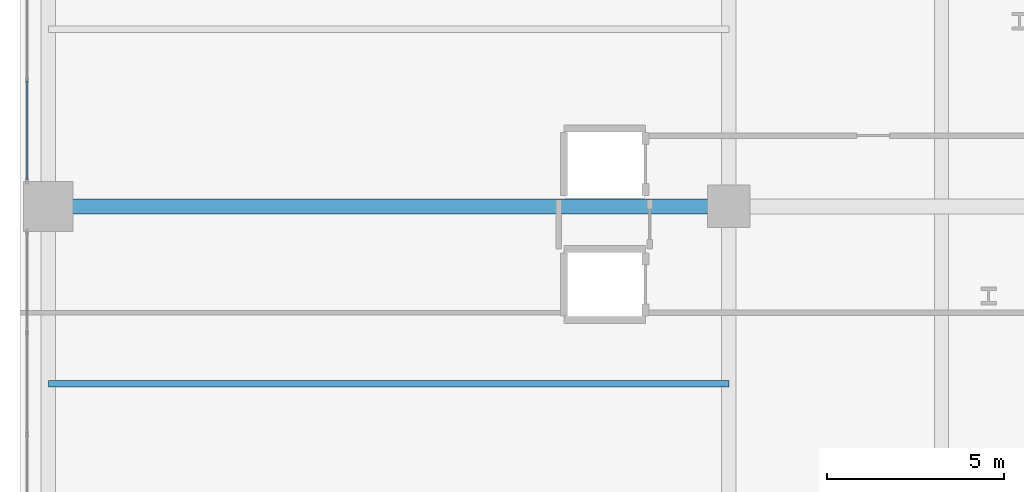
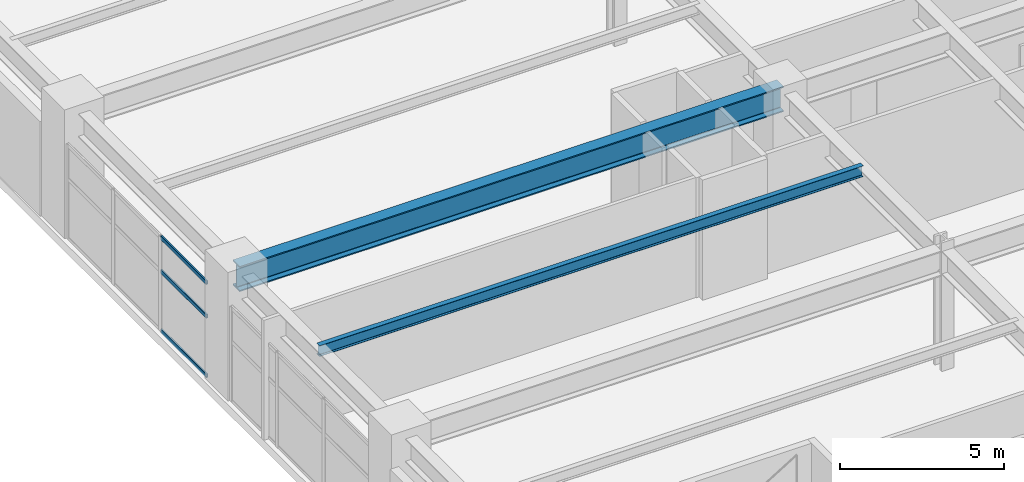
# One storey, part 8 of 28: 3 members, 2 beams, 1 element without a shape of its own.
"""IFC4 building model written with IfcOpenShell, lengths in metres."""

import ifcopenshell
import ifcopenshell.guid

model = None  # the IFC model being written
_history = None  # IfcOwnerHistory: only IFC2X3 demands one
_inside = {}  # id of a spatial element -> (the spatial element, [elements in it])
_under = {}  # id of a project, library or spatial element -> (it, [spatial elements below it])
_declared = {}  # id of a project -> (the project, [libraries it declares])
_typed = {}  # id of a type object -> (the type object, [elements of that type])
_made_of = {}  # id of a material, layer set ... -> (it, [elements and type objects made of it])


def new_model(schema):
    """Start an empty IFC model of exactly this schema.

    Asked for "IFC4X3", IfcOpenShell would pick the latest addendum, in which some entities
    have other attributes; the version numbers below select the first issue.
    IFC2X3 requires an IfcOwnerHistory on every rooted entity: one is made here for all.
    """
    global model, _history
    if schema == "IFC4X3":
        model = ifcopenshell.file(schema_version=(4, 3, 0, 0))
    else:
        model = ifcopenshell.file(schema=schema)
    _inside.clear()
    _under.clear()
    _declared.clear()
    _typed.clear()
    _made_of.clear()
    _history = None
    if model.schema == "IFC2X3":
        org = make("IfcOrganization", Name="unknown")
        user = make(
            "IfcPersonAndOrganization",
            ThePerson=make("IfcPerson", FamilyName="unknown"),
            TheOrganization=org,
        )
        app = make(
            "IfcApplication",
            ApplicationDeveloper=org,
            Version="unknown",
            ApplicationFullName="unknown",
            ApplicationIdentifier="unknown",
        )
        _history = make(
            "IfcOwnerHistory",
            OwningUser=user,
            OwningApplication=app,
            ChangeAction="ADDED",
            CreationDate=0,
        )
    return model


def make(cls, **values):
    """One entity of the class cls with the attributes given. An attribute that is None is left unset."""
    return model.create_entity(
        cls, **{name: value for name, value in values.items() if value is not None}
    )


def rooted(cls, **values):
    """An entity with a GlobalId (a new one), such as an element, a storey or a relation."""
    return make(cls, GlobalId=ifcopenshell.guid.new(), OwnerHistory=_history, **values)


def si_unit(unit_type, name, prefix=None):
    """IfcSIUnit, for example si_unit("LENGTHUNIT", "METRE", prefix="MILLI")."""
    return make("IfcSIUnit", UnitType=unit_type, Prefix=prefix, Name=name)


def assignment(units):
    """IfcUnitAssignment: the units of a project."""
    return None if units is None else make("IfcUnitAssignment", Units=units)


def point(xyz):
    """IfcCartesianPoint."""
    return None if xyz is None else make("IfcCartesianPoint", Coordinates=xyz)


def direction(xyz):
    """IfcDirection."""
    return None if xyz is None else make("IfcDirection", DirectionRatios=xyz)


def frame(location, z_axis=None, x_axis=None):
    """IfcAxis2Placement3D, a coordinate frame: its origin and axes. An axis left out is left unset."""
    return make(
        "IfcAxis2Placement3D",
        Location=point(location),
        Axis=direction(z_axis),
        RefDirection=direction(x_axis),
    )


def frame_2d(location, x_axis=None):
    """IfcAxis2Placement2D, a coordinate frame in the plane: its origin and x axis."""
    return make(
        "IfcAxis2Placement2D", Location=point(location), RefDirection=direction(x_axis)
    )


def origin():
    """The frame at (0, 0, 0) with its axes left unset."""
    return frame((0.0, 0.0, 0.0))


def origin_2d():
    """The frame at (0, 0) in the plane with its x axis left unset."""
    return frame_2d((0.0, 0.0))


def place(relative_to, where):
    """IfcLocalPlacement: puts the frame where relative to a parent placement (None: the world)."""
    return make(
        "IfcLocalPlacement", PlacementRelTo=relative_to, RelativePlacement=where
    )


def context(
    kind, dimensions, precision=None, world=None, true_north=None, identifier=None
):
    """IfcGeometricRepresentationContext, for example the 3D "Model" context."""
    return make(
        "IfcGeometricRepresentationContext",
        ContextIdentifier=identifier,
        ContextType=kind,
        CoordinateSpaceDimension=dimensions,
        Precision=precision,
        WorldCoordinateSystem=world,
        TrueNorth=true_north,
    )


def subcontext(parent, identifier, kind, view, scale=None):
    """IfcGeometricRepresentationSubContext, for example "Body" below "Model"."""
    return make(
        "IfcGeometricRepresentationSubContext",
        ContextIdentifier=identifier,
        ContextType=kind,
        ParentContext=parent,
        TargetScale=scale,
        TargetView=view,
    )


def project(units=None, contexts=None):
    """IfcProject with its units and contexts."""
    return rooted(
        "IfcProject",
        Name="project",
        RepresentationContexts=contexts,
        UnitsInContext=assignment(units),
    )


def spatial(cls, under=None, at=None, **own):
    """A site, building, storey or space (cls), placed at a placement, below another one or the project."""
    s = rooted(cls, ObjectPlacement=at, **own)
    if under is not None:
        _under.setdefault(under.id(), (under, []))[1].append(s)
    return s


def profile(cls, at=None, kind="AREA", **sizes):
    """A parametric profile (cls). Its sizes go by their IFC names, for example OverallWidth=200.0."""
    return make(cls, ProfileType=kind, Position=at, **sizes)


def hollow_rectangle(**sizes):
    """IfcRectangleHollowProfileDef."""
    return profile("IfcRectangleHollowProfileDef", **sizes)


def i_section(**sizes):
    """IfcIShapeProfileDef."""
    return profile("IfcIShapeProfileDef", **sizes)


def extrude(swept, where, along, depth):
    """IfcExtrudedAreaSolid: the profile swept, set in the frame where, extruded along a direction by depth."""
    return make(
        "IfcExtrudedAreaSolid",
        SweptArea=swept,
        Position=where,
        ExtrudedDirection=direction(along),
        Depth=depth,
    )


def shape(context_of_items, identifier, shape_type, items):
    """IfcShapeRepresentation: the items that make up one representation, for example the "Body"."""
    return make(
        "IfcShapeRepresentation",
        ContextOfItems=context_of_items,
        RepresentationIdentifier=identifier,
        RepresentationType=shape_type,
        Items=items,
    )


def material(Name=None, Category=None):
    """IfcMaterial."""
    return make("IfcMaterial", Name=Name, Category=Category)


def layer(
    of_material, thickness, ventilated=None, Name=None, Category=None, Priority=None
):
    """IfcMaterialLayer: one layer of a wall or slab, of a material (None: an air gap)."""
    return make(
        "IfcMaterialLayer",
        Material=of_material,
        LayerThickness=thickness,
        IsVentilated=ventilated,
        Name=Name,
        Category=Category,
        Priority=Priority,
    )


def layer_set(layers, Name=None):
    """IfcMaterialLayerSet."""
    return make("IfcMaterialLayerSet", MaterialLayers=layers, LayerSetName=Name)


def material_profile(
    of_material, cross_section, Name=None, Category=None, Priority=None
):
    """IfcMaterialProfile: a cross section and its material."""
    return make(
        "IfcMaterialProfile",
        Name=Name,
        Material=of_material,
        Profile=cross_section,
        Priority=Priority,
        Category=Category,
    )


def profile_set(profiles, Name=None, composite=None):
    """IfcMaterialProfileSet."""
    return make(
        "IfcMaterialProfileSet",
        Name=Name,
        MaterialProfiles=profiles,
        CompositeProfile=composite,
    )


def made_of(thing, what):
    """Note that an element or type object is made of a material, layer set ...; save() writes the relation."""
    if what is not None:
        _made_of.setdefault(what.id(), (what, []))[1].append(thing)
    return thing


def type_object(cls, material=None, **own):
    """A type object (cls), such as IfcWallType, which elements share."""
    return made_of(rooted(cls, **own), material)


def element(
    cls,
    number,
    at=None,
    inside=None,
    cuts=None,
    type_object=None,
    material=None,
    context=None,
    identifier="Body",
    shape_type=None,
    held_by="IfcProductDefinitionShape",
    body=None,
    shapes=None,
    **own,
):
    """One element of the class cls, such as IfcWall. Its Tag is "e" and its number.

    at: its placement. inside: the storey or other place that contains it. cuts: it is an
    opening in that element (IfcRelVoidsElement). A single representation is given by context,
    identifier, shape_type and body (its items); several are given by shapes. held_by: the class
    of the entity that holds the representations. save() writes the other relations.
    """
    e = rooted(cls, Tag="e%d" % number, ObjectPlacement=at, **own)
    if body is not None:
        shapes = [shape(context, identifier, shape_type, body)]
    if shapes is not None:
        e.Representation = make(held_by, Representations=shapes)
    if inside is not None:
        _inside.setdefault(inside.id(), (inside, []))[1].append(e)
    if cuts is not None:
        rooted(
            "IfcRelVoidsElement", RelatingBuildingElement=cuts, RelatedOpeningElement=e
        )
    if type_object is not None:
        _typed.setdefault(type_object.id(), (type_object, []))[1].append(e)
    return made_of(e, material)


def aggregate(whole, parts):
    """IfcRelAggregates: a whole, such as a stair, and the parts it consists of."""
    return rooted("IfcRelAggregates", RelatingObject=whole, RelatedObjects=parts)


def save(model, path):
    """Write the relations noted so far, then the file.

    IfcRelAggregates (storeys below a building ...), IfcRelContainedInSpatialStructure (elements
    in a storey), IfcRelDefinesByType, IfcRelAssociatesMaterial and IfcRelDeclares: one each for
    every whole, place, type object, material and project.
    """
    for whole, parts in _under.values():
        aggregate(whole, parts)
    for where, things in _inside.values():
        rooted(
            "IfcRelContainedInSpatialStructure",
            RelatedElements=things,
            RelatingStructure=where,
        )
    for kind, things in _typed.values():
        rooted("IfcRelDefinesByType", RelatedObjects=things, RelatingType=kind)
    for what, things in _made_of.values():
        rooted("IfcRelAssociatesMaterial", RelatedObjects=things, RelatingMaterial=what)
    for by, libraries in _declared.values():
        rooted("IfcRelDeclares", RelatingContext=by, RelatedDefinitions=libraries)
    model.write(path)


model = new_model("IFC4")

# Units and contexts
model_context = context("Model", 3, precision=1e-05, world=origin(), true_north=direction((0.0, 1.0)))
body_context = subcontext(model_context, "Body", "Model", "MODEL_VIEW")
ifc_project = project(units=[si_unit("LENGTHUNIT", "METRE"), si_unit("AREAUNIT", "SQUARE_METRE"), si_unit("VOLUMEUNIT", "CUBIC_METRE"), si_unit("PLANEANGLEUNIT", "RADIAN"), si_unit("MASSUNIT", "GRAM", prefix="KILO")], contexts=[model_context])

# Site, building, storey
site_placement = place(None, origin())
site = spatial("IfcSite", under=ifc_project, at=site_placement, CompositionType="ELEMENT")
building_placement = place(site_placement, origin())
building = spatial("IfcBuilding", under=site, at=building_placement, Name="Soratama Intermodal Tower", CompositionType="ELEMENT")
storey_placement = place(building_placement, frame((0.0, 0.0, 11.39990234375)))
storey = spatial("IfcBuildingStorey", under=building, at=storey_placement, Name="L02", CompositionType="ELEMENT", Elevation=11.39990234375)

# Beams
ifc_material_1 = material(Name="Structural steel ASTM A992 Grade 50", Category="steel")
ifc_material_profile_1 = material_profile(ifc_material_1, i_section(OverallWidth=0.177978515625, OverallDepth=0.406982421875, WebThickness=0.0078125, FlangeThickness=0.0126953125, FilletRadius=0.010009765625, at=origin_2d()), Name="W16X40")
ifc_profile_set_1 = profile_set([ifc_material_profile_1], Name="Structural steel ASTM A992 Grade 50")
beam_type_1 = type_object("IfcBeamType", Name="BM-JST-W16X40", PredefinedType="JOIST", material=ifc_profile_set_1)
beam_1_placement = place(storey_placement, frame((0.800048828125, 20.0, 4.276611328125), z_axis=(1.0, 0.0, 0.0), x_axis=(0.0, 1.0, 0.0)))
element("IfcBeam", 1, at=beam_1_placement, inside=storey, type_object=beam_type_1, Name="JST-L02-W2", PredefinedType="JOIST", context=body_context, shape_type="SweptSolid", body=[
    extrude(i_section(OverallWidth=0.177978515625, OverallDepth=0.406982421875, WebThickness=0.0078125, FlangeThickness=0.0126953125, FilletRadius=0.010009765625, at=origin_2d()), origin(), (0.0, 0.0, 1.0), 19.199951171875),
])
ifc_material_2 = material(Name="Structural steel ASTM A992 Grade 50", Category="steel")
ifc_material_profile_2 = material_profile(ifc_material_2, i_section(OverallWidth=0.423095703125, OverallDepth=0.93896484375, WebThickness=0.02392578125, FlangeThickness=0.042724609375, FilletRadius=0.02392578125, at=origin_2d()), Name="W36X302")
ifc_profile_set_2 = profile_set([ifc_material_profile_2], Name="Structural steel ASTM A992 Grade 50")
beam_type_2 = type_object("IfcBeamType", Name="BM-POD-W36X302", PredefinedType="BEAM", material=ifc_profile_set_2)
beam_2_placement = place(storey_placement, frame((0.800048828125, 25.0, 4.010498046875), z_axis=(1.0, 0.0, 0.0), x_axis=(0.0, 1.0, 0.0)))
element("IfcBeam", 2, at=beam_2_placement, inside=storey, type_object=beam_type_2, Name="L02 Station Girder X3-4", PredefinedType="BEAM", context=body_context, shape_type="SweptSolid", body=[
    extrude(i_section(OverallWidth=0.423095703125, OverallDepth=0.93896484375, WebThickness=0.02392578125, FlangeThickness=0.042724609375, FilletRadius=0.02392578125, at=origin_2d()), origin(), (0.0, 0.0, 1.0), 19.199951171875),
])

# Curtain wall, members
ifc_material_3 = material(Name="Double-glazed aluminium curtain wall", Category="aluminium")
ifc_layer = layer(ifc_material_3, 0.159912109375)
ifc_layer_set = layer_set([ifc_layer], Name="Double-glazed aluminium curtain wall")
curtain_wall_type = type_object("IfcCurtainWallType", Name="CW-SYS-1", PredefinedType="NOTDEFINED", material=ifc_layer_set)
curtain_wall_placement = place(storey_placement, origin())
curtain_wall = element("IfcCurtainWall", 3, at=curtain_wall_placement, inside=storey, type_object=curtain_wall_type, Name="L02 Station Curtain Wall W2", PredefinedType="NOTDEFINED")
ifc_material_4 = material(Name="Anodised aluminium AA 6063-T6", Category="aluminium")
ifc_material_profile_3 = material_profile(ifc_material_4, hollow_rectangle(XDim=0.06494140625, YDim=0.14990234375, WallThickness=0.0048828125, InnerFilletRadius=0.0048828125, OuterFilletRadius=0.010009765625, at=origin_2d()), Name="CWT150X65X5")
ifc_profile_set_3 = profile_set([ifc_material_profile_3], Name="Anodised aluminium AA 6063-T6")
member_type = type_object("IfcMemberType", Name="TT-CWT-1", PredefinedType="USERDEFINED", material=ifc_profile_set_3)
member_1_placement = place(storey_placement, frame((0.199951171875, 25.760009765625, 0.030029296875), z_axis=(0.0, 1.0, 0.0), x_axis=(-1.0, 0.0, 0.0)))
member_1 = element("IfcMember", 4, at=member_1_placement, type_object=member_type, Name="CW-1 transom 1.1", ObjectType="TRANSOM", PredefinedType="USERDEFINED", context=body_context, shape_type="SweptSolid", body=[
    extrude(hollow_rectangle(XDim=0.06494140625, YDim=0.14990234375, WallThickness=0.0048828125, InnerFilletRadius=0.0048828125, OuterFilletRadius=0.010009765625, at=origin_2d()), origin(), (0.0, 0.0, 1.0), 2.776611328125),
])
member_2_placement = place(storey_placement, frame((0.199951171875, 25.760009765625, 2.25), z_axis=(0.0, 1.0, 0.0), x_axis=(-1.0, 0.0, 0.0)))
member_2 = element("IfcMember", 5, at=member_2_placement, type_object=member_type, Name="CW-1 transom 1.2", ObjectType="TRANSOM", PredefinedType="USERDEFINED", context=body_context, shape_type="SweptSolid", body=[
    extrude(hollow_rectangle(XDim=0.06494140625, YDim=0.14990234375, WallThickness=0.0048828125, InnerFilletRadius=0.0048828125, OuterFilletRadius=0.010009765625, at=origin_2d()), origin(), (0.0, 0.0, 1.0), 2.776611328125),
])
member_3_placement = place(storey_placement, frame((0.199951171875, 25.760009765625, 3.506103515625), z_axis=(0.0, 1.0, 0.0), x_axis=(-1.0, 0.0, 0.0)))
member_3 = element("IfcMember", 6, at=member_3_placement, type_object=member_type, Name="CW-1 transom 1.3", ObjectType="TRANSOM", PredefinedType="USERDEFINED", context=body_context, shape_type="SweptSolid", body=[
    extrude(hollow_rectangle(XDim=0.06494140625, YDim=0.14990234375, WallThickness=0.0048828125, InnerFilletRadius=0.0048828125, OuterFilletRadius=0.010009765625, at=origin_2d()), origin(), (0.0, 0.0, 1.0), 2.776611328125),
])
aggregate(curtain_wall, [member_1, member_2, member_3])

save(model, "model.ifc")
